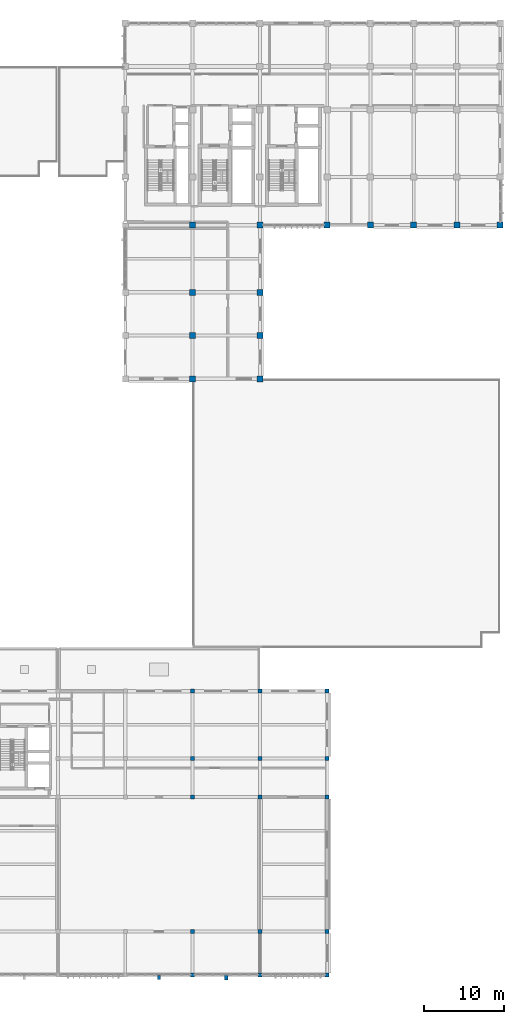
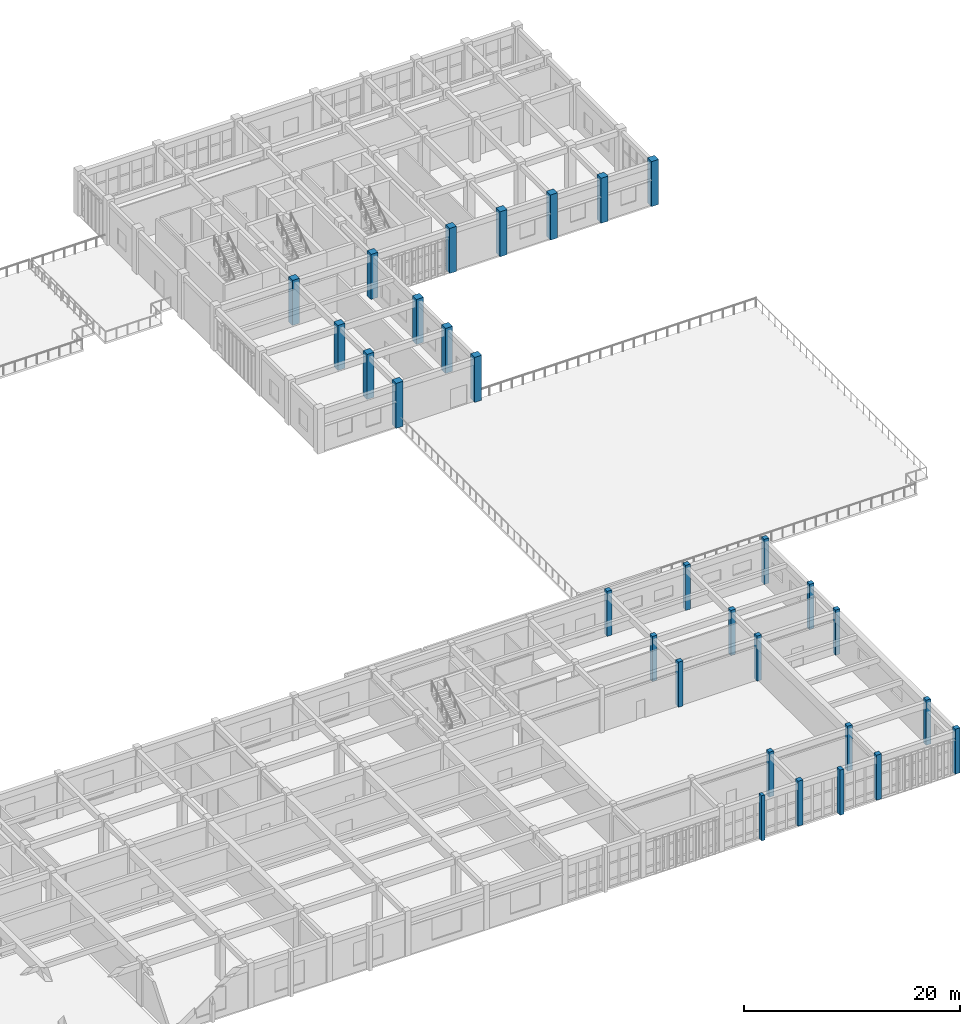
# One storey, part 11 of 93: 30 columns.
"""IFC4 building model written with IfcOpenShell, lengths in metres."""

import ifcopenshell
import ifcopenshell.guid

model = None  # the IFC model being written
_history = None  # IfcOwnerHistory: only IFC2X3 demands one
_inside = {}  # id of a spatial element -> (the spatial element, [elements in it])
_under = {}  # id of a project, library or spatial element -> (it, [spatial elements below it])
_declared = {}  # id of a project -> (the project, [libraries it declares])
_typed = {}  # id of a type object -> (the type object, [elements of that type])
_made_of = {}  # id of a material, layer set ... -> (it, [elements and type objects made of it])


def new_model(schema):
    """Start an empty IFC model of exactly this schema.

    Asked for "IFC4X3", IfcOpenShell would pick the latest addendum, in which some entities
    have other attributes; the version numbers below select the first issue.
    IFC2X3 requires an IfcOwnerHistory on every rooted entity: one is made here for all.
    """
    global model, _history
    if schema == "IFC4X3":
        model = ifcopenshell.file(schema_version=(4, 3, 0, 0))
    else:
        model = ifcopenshell.file(schema=schema)
    _inside.clear()
    _under.clear()
    _declared.clear()
    _typed.clear()
    _made_of.clear()
    _history = None
    if model.schema == "IFC2X3":
        org = make("IfcOrganization", Name="unknown")
        user = make(
            "IfcPersonAndOrganization",
            ThePerson=make("IfcPerson", FamilyName="unknown"),
            TheOrganization=org,
        )
        app = make(
            "IfcApplication",
            ApplicationDeveloper=org,
            Version="unknown",
            ApplicationFullName="unknown",
            ApplicationIdentifier="unknown",
        )
        _history = make(
            "IfcOwnerHistory",
            OwningUser=user,
            OwningApplication=app,
            ChangeAction="ADDED",
            CreationDate=0,
        )
    return model


def make(cls, **values):
    """One entity of the class cls with the attributes given. An attribute that is None is left unset."""
    return model.create_entity(
        cls, **{name: value for name, value in values.items() if value is not None}
    )


def rooted(cls, **values):
    """An entity with a GlobalId (a new one), such as an element, a storey or a relation."""
    return make(cls, GlobalId=ifcopenshell.guid.new(), OwnerHistory=_history, **values)


def si_unit(unit_type, name, prefix=None):
    """IfcSIUnit, for example si_unit("LENGTHUNIT", "METRE", prefix="MILLI")."""
    return make("IfcSIUnit", UnitType=unit_type, Prefix=prefix, Name=name)


def assignment(units):
    """IfcUnitAssignment: the units of a project."""
    return None if units is None else make("IfcUnitAssignment", Units=units)


def point(xyz):
    """IfcCartesianPoint."""
    return None if xyz is None else make("IfcCartesianPoint", Coordinates=xyz)


def direction(xyz):
    """IfcDirection."""
    return None if xyz is None else make("IfcDirection", DirectionRatios=xyz)


def frame(location, z_axis=None, x_axis=None):
    """IfcAxis2Placement3D, a coordinate frame: its origin and axes. An axis left out is left unset."""
    return make(
        "IfcAxis2Placement3D",
        Location=point(location),
        Axis=direction(z_axis),
        RefDirection=direction(x_axis),
    )


def frame_2d(location, x_axis=None):
    """IfcAxis2Placement2D, a coordinate frame in the plane: its origin and x axis."""
    return make(
        "IfcAxis2Placement2D", Location=point(location), RefDirection=direction(x_axis)
    )


def origin():
    """The frame at (0, 0, 0) with its axes left unset."""
    return frame((0.0, 0.0, 0.0))


def origin_2d():
    """The frame at (0, 0) in the plane with its x axis left unset."""
    return frame_2d((0.0, 0.0))


def place(relative_to, where):
    """IfcLocalPlacement: puts the frame where relative to a parent placement (None: the world)."""
    return make(
        "IfcLocalPlacement", PlacementRelTo=relative_to, RelativePlacement=where
    )


def context(
    kind, dimensions, precision=None, world=None, true_north=None, identifier=None
):
    """IfcGeometricRepresentationContext, for example the 3D "Model" context."""
    return make(
        "IfcGeometricRepresentationContext",
        ContextIdentifier=identifier,
        ContextType=kind,
        CoordinateSpaceDimension=dimensions,
        Precision=precision,
        WorldCoordinateSystem=world,
        TrueNorth=true_north,
    )


def subcontext(parent, identifier, kind, view, scale=None):
    """IfcGeometricRepresentationSubContext, for example "Body" below "Model"."""
    return make(
        "IfcGeometricRepresentationSubContext",
        ContextIdentifier=identifier,
        ContextType=kind,
        ParentContext=parent,
        TargetScale=scale,
        TargetView=view,
    )


def project(units=None, contexts=None):
    """IfcProject with its units and contexts."""
    return rooted(
        "IfcProject",
        Name="project",
        RepresentationContexts=contexts,
        UnitsInContext=assignment(units),
    )


def spatial(cls, under=None, at=None, **own):
    """A site, building, storey or space (cls), placed at a placement, below another one or the project."""
    s = rooted(cls, ObjectPlacement=at, **own)
    if under is not None:
        _under.setdefault(under.id(), (under, []))[1].append(s)
    return s


def profile(cls, at=None, kind="AREA", **sizes):
    """A parametric profile (cls). Its sizes go by their IFC names, for example OverallWidth=200.0."""
    return make(cls, ProfileType=kind, Position=at, **sizes)


def rectangle(**sizes):
    """IfcRectangleProfileDef."""
    return profile("IfcRectangleProfileDef", **sizes)


def extrude(swept, where, along, depth):
    """IfcExtrudedAreaSolid: the profile swept, set in the frame where, extruded along a direction by depth."""
    return make(
        "IfcExtrudedAreaSolid",
        SweptArea=swept,
        Position=where,
        ExtrudedDirection=direction(along),
        Depth=depth,
    )


def shape(context_of_items, identifier, shape_type, items):
    """IfcShapeRepresentation: the items that make up one representation, for example the "Body"."""
    return make(
        "IfcShapeRepresentation",
        ContextOfItems=context_of_items,
        RepresentationIdentifier=identifier,
        RepresentationType=shape_type,
        Items=items,
    )


def material(Name=None, Category=None):
    """IfcMaterial."""
    return make("IfcMaterial", Name=Name, Category=Category)


def material_profile(
    of_material, cross_section, Name=None, Category=None, Priority=None
):
    """IfcMaterialProfile: a cross section and its material."""
    return make(
        "IfcMaterialProfile",
        Name=Name,
        Material=of_material,
        Profile=cross_section,
        Priority=Priority,
        Category=Category,
    )


def profile_set(profiles, Name=None, composite=None):
    """IfcMaterialProfileSet."""
    return make(
        "IfcMaterialProfileSet",
        Name=Name,
        MaterialProfiles=profiles,
        CompositeProfile=composite,
    )


def made_of(thing, what):
    """Note that an element or type object is made of a material, layer set ...; save() writes the relation."""
    if what is not None:
        _made_of.setdefault(what.id(), (what, []))[1].append(thing)
    return thing


def type_object(cls, material=None, **own):
    """A type object (cls), such as IfcWallType, which elements share."""
    return made_of(rooted(cls, **own), material)


def element(
    cls,
    number,
    at=None,
    inside=None,
    cuts=None,
    type_object=None,
    material=None,
    context=None,
    identifier="Body",
    shape_type=None,
    held_by="IfcProductDefinitionShape",
    body=None,
    shapes=None,
    **own,
):
    """One element of the class cls, such as IfcWall. Its Tag is "e" and its number.

    at: its placement. inside: the storey or other place that contains it. cuts: it is an
    opening in that element (IfcRelVoidsElement). A single representation is given by context,
    identifier, shape_type and body (its items); several are given by shapes. held_by: the class
    of the entity that holds the representations. save() writes the other relations.
    """
    e = rooted(cls, Tag="e%d" % number, ObjectPlacement=at, **own)
    if body is not None:
        shapes = [shape(context, identifier, shape_type, body)]
    if shapes is not None:
        e.Representation = make(held_by, Representations=shapes)
    if inside is not None:
        _inside.setdefault(inside.id(), (inside, []))[1].append(e)
    if cuts is not None:
        rooted(
            "IfcRelVoidsElement", RelatingBuildingElement=cuts, RelatedOpeningElement=e
        )
    if type_object is not None:
        _typed.setdefault(type_object.id(), (type_object, []))[1].append(e)
    return made_of(e, material)


def aggregate(whole, parts):
    """IfcRelAggregates: a whole, such as a stair, and the parts it consists of."""
    return rooted("IfcRelAggregates", RelatingObject=whole, RelatedObjects=parts)


def save(model, path):
    """Write the relations noted so far, then the file.

    IfcRelAggregates (storeys below a building ...), IfcRelContainedInSpatialStructure (elements
    in a storey), IfcRelDefinesByType, IfcRelAssociatesMaterial and IfcRelDeclares: one each for
    every whole, place, type object, material and project.
    """
    for whole, parts in _under.values():
        aggregate(whole, parts)
    for where, things in _inside.values():
        rooted(
            "IfcRelContainedInSpatialStructure",
            RelatedElements=things,
            RelatingStructure=where,
        )
    for kind, things in _typed.values():
        rooted("IfcRelDefinesByType", RelatedObjects=things, RelatingType=kind)
    for what, things in _made_of.values():
        rooted("IfcRelAssociatesMaterial", RelatedObjects=things, RelatingMaterial=what)
    for by, libraries in _declared.values():
        rooted("IfcRelDeclares", RelatingContext=by, RelatedDefinitions=libraries)
    model.write(path)


model = new_model("IFC4")

# Units and contexts
model_context = context("Model", 3, precision=1e-05, world=origin(), true_north=direction((0.0, 1.0)))
body_context = subcontext(model_context, "Body", "Model", "MODEL_VIEW")
ifc_project = project(units=[si_unit("LENGTHUNIT", "METRE"), si_unit("AREAUNIT", "SQUARE_METRE"), si_unit("VOLUMEUNIT", "CUBIC_METRE"), si_unit("PLANEANGLEUNIT", "RADIAN"), si_unit("MASSUNIT", "GRAM", prefix="KILO")], contexts=[model_context])

# Site, building, storey
site_placement = place(None, origin())
site = spatial("IfcSite", under=ifc_project, at=site_placement, CompositionType="ELEMENT")
building_placement = place(site_placement, origin())
building = spatial("IfcBuilding", under=site, at=building_placement, Name="Krzemoval Escarpment Law Courts", CompositionType="ELEMENT")
storey_placement = place(building_placement, frame((0.0, 0.0, 10.199951171875)))
storey = spatial("IfcBuildingStorey", under=building, at=storey_placement, Name="L02", CompositionType="ELEMENT", Elevation=10.199951171875)

# Columns
ifc_material_1 = material(Name="Concrete C40/50", Category="concrete")
ifc_material_profile_1 = material_profile(ifc_material_1, rectangle(XDim=0.5, YDim=0.5, at=origin_2d()), Name="RC 500x500")
ifc_profile_set_1 = profile_set([ifc_material_profile_1], Name="Concrete C40/50")
column_type_1 = type_object("IfcColumnType", Name="COL-RC-500", PredefinedType="COLUMN", material=ifc_profile_set_1)
for number, where, z_axis, x_axis, name in (
    (1, (134.39990234375, 0.0, 0.0), (0.0, 0.0, 1.0), (1.0, 0.0, 0.0), "Column FC-L02-0942"),
    (2, (134.39990234375, 5.39990234375, 0.0), (0.0, 0.0, 1.0), (1.0, 0.0, 0.0), "Column FC-L02-0943"),
    (3, (134.39990234375, 22.199951171875, 0.0), (0.0, 0.0, 1.0), (1.0, 0.0, 0.0), "Column FC-L02-0944"),
    (4, (134.39990234375, 27.0, 0.0), (0.0, 0.0, 1.0), (1.0, 0.0, 0.0), "Column FC-L02-0945"),
    (5, (134.39990234375, 35.39990234375, 0.0), (0.0, 0.0, 1.0), (1.0, 0.0, 0.0), "Column FC-L02-0946"),
    (6, (142.800048828125, 0.0, 0.0), (0.0, 0.0, 1.0), (1.0, 0.0, 0.0), "Column FC-L02-0955"),
    (7, (142.800048828125, 5.39990234375, 0.0), (0.0, 0.0, 1.0), (1.0, 0.0, 0.0), "Column FC-L02-0956"),
    (8, (142.800048828125, 22.199951171875, 0.0), (0.0, 0.0, 1.0), (1.0, 0.0, 0.0), "Column FC-L02-0957"),
    (9, (142.800048828125, 27.0, 0.0), (0.0, 0.0, 1.0), (1.0, 0.0, 0.0), "Column FC-L02-0958"),
    (10, (142.800048828125, 35.39990234375, 0.0), (0.0, 0.0, 1.0), (1.0, 0.0, 0.0), "Column FC-L02-0959"),
    (11, (151.199951171875, 0.0, 0.0), (0.0, 0.0, 1.0), (1.0, 0.0, 0.0), "Column FC-L02-0968"),
    (12, (151.199951171875, 5.39990234375, 0.0), (0.0, 0.0, 1.0), (1.0, 0.0, 0.0), "Column FC-L02-0969"),
    (13, (151.199951171875, 22.199951171875, 0.0), (0.0, 0.0, 1.0), (1.0, 0.0, 0.0), "Column FC-L02-0970"),
    (14, (151.199951171875, 27.0, 0.0), (0.0, 0.0, 1.0), (1.0, 0.0, 0.0), "Column FC-L02-0971"),
    (15, (151.199951171875, 35.39990234375, 0.0), (0.0, 0.0, 1.0), (1.0, 0.0, 0.0), "Column FC-L02-0972"),
):
    element("IfcColumn", number, at=place(storey_placement, frame(where, z_axis=z_axis, x_axis=x_axis)), inside=storey, type_object=column_type_1, Name=name, PredefinedType="COLUMN", context=body_context, shape_type="SweptSolid", body=[
        extrude(rectangle(XDim=0.5, YDim=0.5, at=origin_2d()), origin(), (0.0, 0.0, 1.0), 5.10009765625),
    ])
ifc_material_2 = material(Name="Concrete C40/50", Category="concrete")
ifc_material_profile_2 = material_profile(ifc_material_2, rectangle(XDim=0.75, YDim=0.75, at=origin_2d()), Name="RC 750x750")
ifc_profile_set_2 = profile_set([ifc_material_profile_2], Name="Concrete C40/50")
column_type_2 = type_object("IfcColumnType", Name="COL-RC-750", PredefinedType="COLUMN", material=ifc_profile_set_2)
for number, where, z_axis, x_axis, name in (
    (16, (134.39990234375, 74.39990234375, 0.0), (0.0, 0.0, 1.0), (1.0, 0.0, 0.0), "Column FC-L02-0947"),
    (17, (134.39990234375, 79.800048828125, 0.0), (0.0, 0.0, 1.0), (1.0, 0.0, 0.0), "Column FC-L02-0948"),
    (18, (134.39990234375, 85.199951171875, 0.0), (0.0, 0.0, 1.0), (1.0, 0.0, 0.0), "Column FC-L02-0949"),
    (19, (134.39990234375, 93.60009765625, 0.0), (0.0, 0.0, 1.0), (1.0, 0.0, 0.0), "Column FC-L02-0950"),
    (20, (142.800048828125, 74.39990234375, 0.0), (0.0, 0.0, 1.0), (1.0, 0.0, 0.0), "Column FC-L02-0960"),
    (21, (142.800048828125, 79.800048828125, 0.0), (0.0, 0.0, 1.0), (1.0, 0.0, 0.0), "Column FC-L02-0961"),
    (22, (142.800048828125, 85.199951171875, 0.0), (0.0, 0.0, 1.0), (1.0, 0.0, 0.0), "Column FC-L02-0962"),
    (23, (142.800048828125, 93.60009765625, 0.0), (0.0, 0.0, 1.0), (1.0, 0.0, 0.0), "Column FC-L02-0963"),
    (24, (151.199951171875, 93.60009765625, 0.0), (0.0, 0.0, 1.0), (1.0, 0.0, 0.0), "Column FC-L02-0973"),
    (25, (156.60009765625, 93.60009765625, 0.0), (0.0, 0.0, 1.0), (1.0, 0.0, 0.0), "Column FC-L02-0978"),
    (26, (162.0, 93.60009765625, 0.0), (0.0, 0.0, 1.0), (1.0, 0.0, 0.0), "Column FC-L02-0983"),
    (27, (167.39990234375, 93.60009765625, 0.0), (0.0, 0.0, 1.0), (1.0, 0.0, 0.0), "Column FC-L02-0988"),
    (28, (172.800048828125, 93.60009765625, 0.0), (0.0, 0.0, 1.0), (1.0, 0.0, 0.0), "Column FC-L02-0993"),
):
    element("IfcColumn", number, at=place(storey_placement, frame(where, z_axis=z_axis, x_axis=x_axis)), inside=storey, type_object=column_type_2, Name=name, PredefinedType="COLUMN", context=body_context, shape_type="SweptSolid", body=[
        extrude(rectangle(XDim=0.75, YDim=0.75, at=origin_2d()), origin(), (0.0, 0.0, 1.0), 5.10009765625),
    ])
ifc_material_3 = material(Name="Precast concrete C40/50", Category="concrete")
ifc_material_profile_3 = material_profile(ifc_material_3, rectangle(XDim=0.35009765625, YDim=0.5, at=origin_2d()), Name="PIL 350x500")
ifc_profile_set_3 = profile_set([ifc_material_profile_3], Name="Precast concrete C40/50")
column_type_3 = type_object("IfcColumnType", Name="PIL-PC-350x500", PredefinedType="PILASTER", material=ifc_profile_set_3)
column_1_placement = place(storey_placement, frame((130.199951171875, -0.35009765625, 0.0), z_axis=(0.0, 0.0, 1.0), x_axis=(1.0, 0.0, 0.0)))
element("IfcColumn", 29, at=column_1_placement, inside=storey, type_object=column_type_3, Name="Facade Pilaster PIL-L02-054", PredefinedType="PILASTER", context=body_context, shape_type="SweptSolid", body=[
    extrude(rectangle(XDim=0.35009765625, YDim=0.5, at=origin_2d()), origin(), (0.0, 0.0, 1.0), 5.10009765625),
])
ifc_material_4 = material(Name="Precast concrete C40/50", Category="concrete")
ifc_material_profile_4 = material_profile(ifc_material_4, rectangle(XDim=0.39990234375, YDim=0.60009765625, at=origin_2d()), Name="PIL 400x600")
ifc_profile_set_4 = profile_set([ifc_material_profile_4], Name="Precast concrete C40/50")
column_type_4 = type_object("IfcColumnType", Name="PIL-PC-400x600", PredefinedType="PILASTER", material=ifc_profile_set_4)
column_2_placement = place(storey_placement, frame((138.60009765625, -0.35009765625, 0.0), z_axis=(0.0, 0.0, 1.0), x_axis=(1.0, 0.0, 0.0)))
element("IfcColumn", 30, at=column_2_placement, inside=storey, type_object=column_type_4, Name="Facade Pilaster PIL-L02-059", PredefinedType="PILASTER", context=body_context, shape_type="SweptSolid", body=[
    extrude(rectangle(XDim=0.39990234375, YDim=0.60009765625, at=origin_2d()), origin(), (0.0, 0.0, 1.0), 5.10009765625),
])

save(model, "model.ifc")
